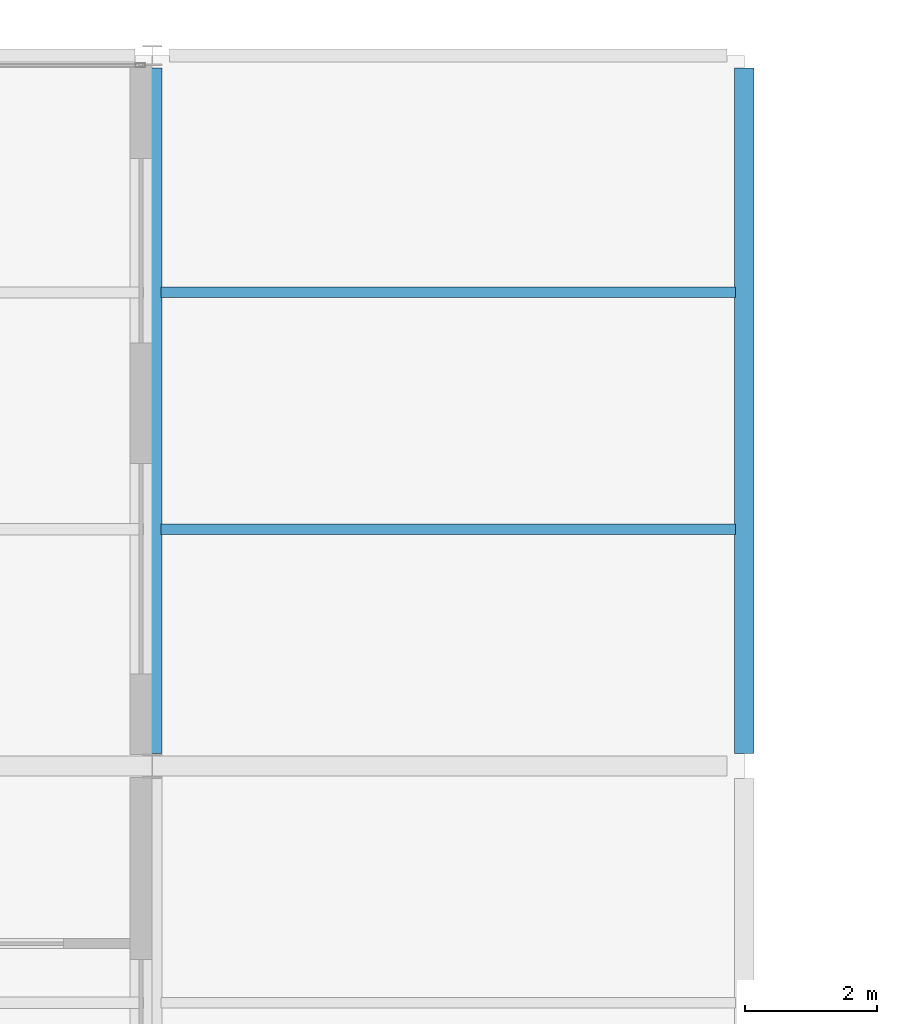
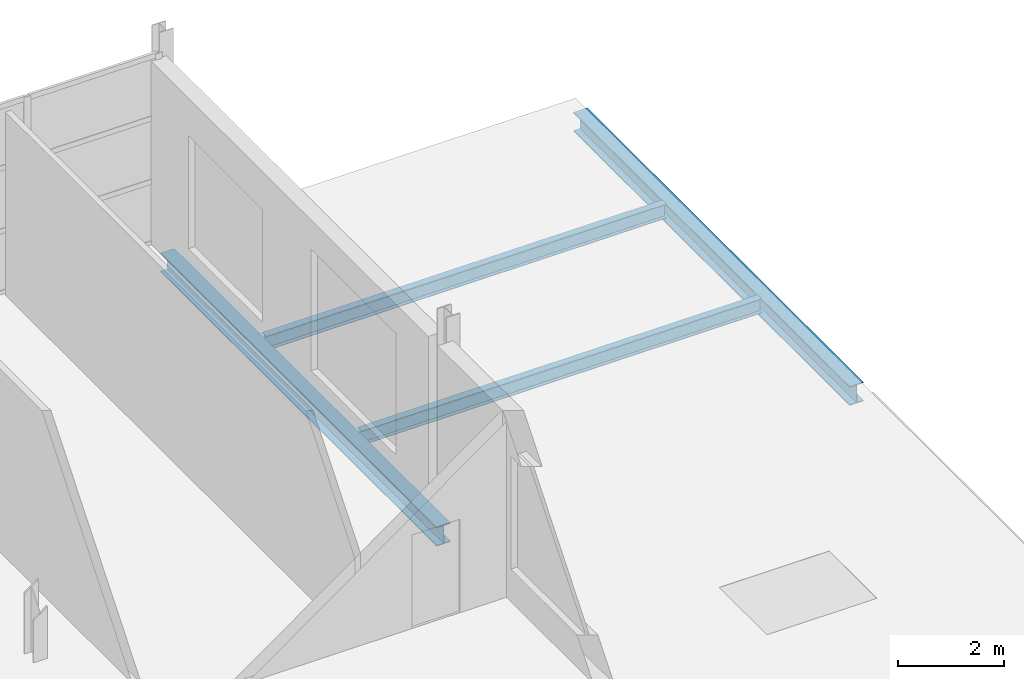
# One storey, part 61 of 134: 4 beams.
"""IFC4 building model written with IfcOpenShell, lengths in metres."""

from ifc_helpers import new_model, si_unit, direction, frame, origin, origin_2d, place, context, subcontext, project, spatial, i_section, extrude, material, material_profile, profile_set, type_object, element, save


model = new_model("IFC4")

# Units and contexts
model_context = context("Model", 3, precision=1e-05, world=origin(), true_north=direction((0.0, 1.0)))
body_context = subcontext(model_context, "Body", "Model", "MODEL_VIEW")
ifc_project = project(units=[si_unit("LENGTHUNIT", "METRE"), si_unit("AREAUNIT", "SQUARE_METRE"), si_unit("VOLUMEUNIT", "CUBIC_METRE"), si_unit("PLANEANGLEUNIT", "RADIAN"), si_unit("MASSUNIT", "GRAM", prefix="KILO")], contexts=[model_context])

# Site, building, storey
site_placement = place(None, origin())
site = spatial("IfcSite", under=ifc_project, at=site_placement, CompositionType="ELEMENT")
building_placement = place(site_placement, origin())
building = spatial("IfcBuilding", under=site, at=building_placement, Name="Tamarisk Ironworks Central Station", CompositionType="ELEMENT")
storey_placement = place(building_placement, frame((0.0, 0.0, 12.60009765625)))
storey = spatial("IfcBuildingStorey", under=building, at=storey_placement, Name="L02", CompositionType="ELEMENT", Elevation=12.60009765625)

# Beams
ifc_material = material(Name="Structural steel S355J2", Category="steel")
ifc_material_profile_1 = material_profile(ifc_material, i_section(OverallWidth=0.159912109375, OverallDepth=0.330078125, WebThickness=0.007568359375, FlangeThickness=0.011474609375, at=origin_2d()), Name="IPE 330")
ifc_profile_set_1 = profile_set([ifc_material_profile_1], Name="Structural steel S355J2")
beam_type_1 = type_object("IfcBeamType", Name="BM-B06", PredefinedType="BEAM", material=ifc_profile_set_1)
for number, where, z_axis, x_axis, name in (
    (1, (36.135009765625, 115.199951171875, -0.3251953125), (1.0, 0.0, 0.0), (0.0, 1.0, 0.0), "L02 secondary composite beam 0155"),
    (2, (36.135009765625, 118.800048828125, -0.3251953125), (1.0, 0.0, 0.0), (0.0, 1.0, 0.0), "L02 secondary composite beam 0156"),
):
    element("IfcBeam", number, at=place(storey_placement, frame(where, z_axis=z_axis, x_axis=x_axis)), inside=storey, type_object=beam_type_1, Name=name, PredefinedType="BEAM", context=body_context, shape_type="SweptSolid", body=[
        extrude(i_section(OverallWidth=0.159912109375, OverallDepth=0.330078125, WebThickness=0.007568359375, FlangeThickness=0.011474609375, at=origin_2d()), origin(), (0.0, 0.0, 1.0), 8.72998046875),
    ])
ifc_material_profile_2 = material_profile(ifc_material, i_section(OverallWidth=0.300048828125, OverallDepth=0.43994140625, WebThickness=0.011474609375, FlangeThickness=0.02099609375, at=origin_2d()), Name="HEA 450")
ifc_profile_set_2 = profile_set([ifc_material_profile_2], Name="Structural steel S355J2")
beam_type_2 = type_object("IfcBeamType", Name="BM-G06", PredefinedType="BEAM", material=ifc_profile_set_2)
for number, where, z_axis, x_axis, name in (
    (3, (36.0, 111.7880859375, -0.47021484375), (0.0, 1.0, 0.0), (-1.0, 0.0, 0.0), "L02 primary girder Y-0448"),
    (4, (45.0, 111.7880859375, -0.380126953125), (0.0, 1.0, 0.0), (-1.0, 0.0, 0.0), "L02 primary girder Y-0455"),
):
    element("IfcBeam", number, at=place(storey_placement, frame(where, z_axis=z_axis, x_axis=x_axis)), inside=storey, type_object=beam_type_2, Name=name, PredefinedType="BEAM", context=body_context, shape_type="SweptSolid", body=[
        extrude(i_section(OverallWidth=0.300048828125, OverallDepth=0.43994140625, WebThickness=0.011474609375, FlangeThickness=0.02099609375, at=origin_2d()), origin(), (0.0, 0.0, 1.0), 10.423828125),
    ])

save(model, "model.ifc")
